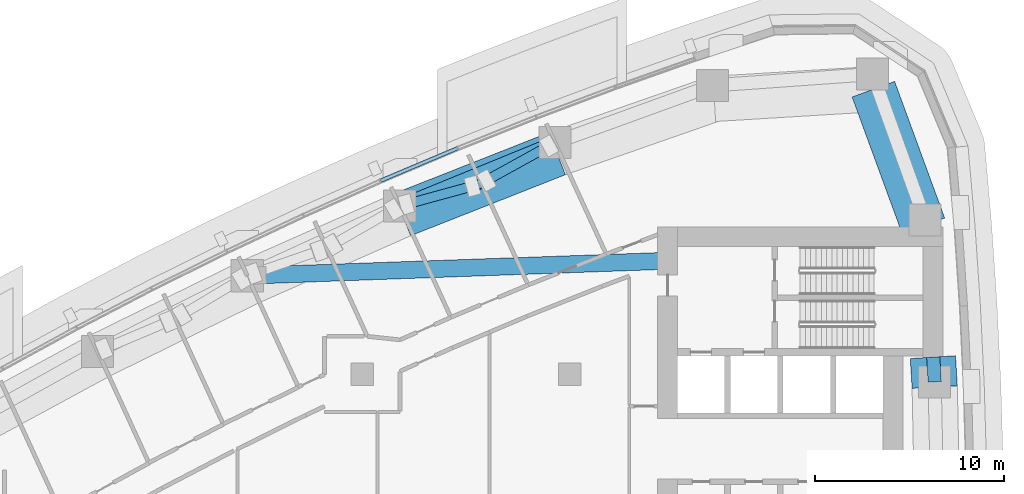
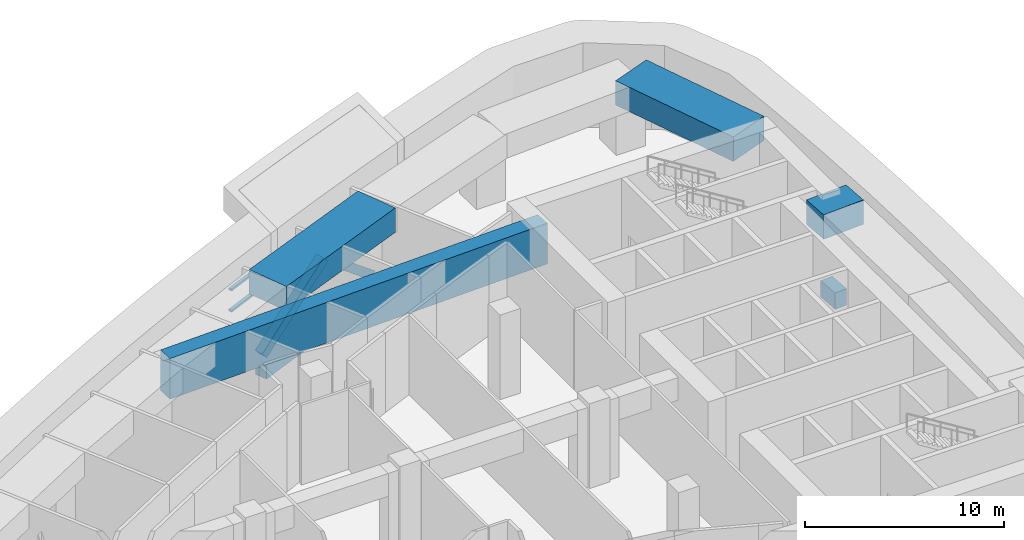
# One storey, part 7 of 19: 6 beams, 4 members, 1 element without a shape of its own.
"""IFC4 building model written with IfcOpenShell, lengths in metres."""

from ifc_helpers import new_model, si_unit, direction, frame, origin, origin_2d, place, context, subcontext, project, spatial, rectangle, hollow_rectangle, extrude, material, layer, layer_set, material_profile, profile_set, type_object, element, aggregate, save


model = new_model("IFC4")

# Units and contexts
model_context = context("Model", 3, precision=1e-05, world=origin(), true_north=direction((0.0, 1.0)))
body_context = subcontext(model_context, "Body", "Model", "MODEL_VIEW")
ifc_project = project(units=[si_unit("LENGTHUNIT", "METRE"), si_unit("AREAUNIT", "SQUARE_METRE"), si_unit("VOLUMEUNIT", "CUBIC_METRE"), si_unit("PLANEANGLEUNIT", "RADIAN"), si_unit("MASSUNIT", "GRAM", prefix="KILO")], contexts=[model_context])

# Site, building, storey
site_placement = place(None, origin())
site = spatial("IfcSite", under=ifc_project, at=site_placement, CompositionType="ELEMENT")
building_placement = place(site_placement, origin())
building = spatial("IfcBuilding", under=site, at=building_placement, Name="Ostrand Prow Hotel Tower", CompositionType="ELEMENT")
storey_placement = place(building_placement, frame((0.0, 0.0, 120.39990234375)))
storey = spatial("IfcBuildingStorey", under=building, at=storey_placement, Name="L29", CompositionType="ELEMENT", Elevation=120.39990234375)

# Members
ifc_material_1 = material(Name="Steel S355", Category="steel")
ifc_material_profile_1 = material_profile(ifc_material_1, hollow_rectangle(XDim=0.508056640625, YDim=0.508056640625, WallThickness=0.025390625, at=origin_2d()), Name="HSS508x508x25.4")
ifc_profile_set_1 = profile_set([ifc_material_profile_1], Name="Steel S355")
member_type_1 = type_object("IfcMemberType", Name="Belt brace HSS508x508x25.4", PredefinedType="BRACE", material=ifc_profile_set_1)
member_1_placement = place(storey_placement, frame((35.98828125, 17.901611328125, 0.0), z_axis=(0.733449349635, 0.200708137587, 0.649436906116), x_axis=(-0.263945359331, 0.964537633941, 0.0)))
element("IfcMember", 1, at=member_1_placement, inside=storey, type_object=member_type_1, Name="Belt brace 11", PredefinedType="BRACE", context=body_context, shape_type="SweptSolid", body=[
    extrude(hollow_rectangle(XDim=0.508056640625, YDim=0.508056640625, WallThickness=0.025390625, at=origin_2d()), origin(), (0.0, 0.0, 1.0), 5.774169921875),
])
member_2_placement = place(storey_placement, frame((44.210693359375, 21.263671875, 0.0), z_axis=(-0.675767196998, -0.373384961163, 0.635548870064), x_axis=(0.483621287261, -0.875277356332, 0.0)))
element("IfcMember", 2, at=member_2_placement, inside=storey, type_object=member_type_1, Name="Belt brace 12", PredefinedType="BRACE", context=body_context, shape_type="SweptSolid", body=[
    extrude(hollow_rectangle(XDim=0.508056640625, YDim=0.508056640625, WallThickness=0.025390625, at=origin_2d()), origin(), (0.0, 0.0, 1.0), 5.900390625),
])

# Beams
ifc_material_2 = material(Name="Concrete C80/95", Category="concrete")
ifc_material_profile_2 = material_profile(ifc_material_2, rectangle(XDim=2.39990234375, YDim=1.5, at=origin_2d()), Name="RC 2400x1500")
ifc_profile_set_2 = profile_set([ifc_material_profile_2], Name="Concrete C80/95")
beam_type_1 = type_object("IfcBeamType", Name="Belt girder 2400x1500 C80/95", PredefinedType="BEAM", material=ifc_profile_set_2)
beam_1_placement = place(storey_placement, frame((64.329345703125, 8.316650390625, 4.150146484375), z_axis=(-0.061563802627, 0.998103150083, 0.0), x_axis=(-0.998103150083, -0.061563802627, 0.0)))
element("IfcBeam", 3, at=beam_1_placement, inside=storey, type_object=beam_type_1, Name="Belt girder B4-B5", PredefinedType="BEAM", context=body_context, shape_type="SweptSolid", body=[
    extrude(rectangle(XDim=2.39990234375, YDim=1.5, at=origin_2d()), origin(), (0.0, 0.0, 1.0), 1.586181640625),
])
beam_2_placement = place(storey_placement, frame((63.732666015625, 16.85009765625, 4.150146484375), z_axis=(-0.344003568088, 0.938968340863, 0.0), x_axis=(-0.938968340863, -0.344003568088, 0.0)))
element("IfcBeam", 4, at=beam_2_placement, inside=storey, type_object=beam_type_1, Name="Belt girder B5-NE", PredefinedType="BEAM", context=body_context, shape_type="SweptSolid", body=[
    extrude(rectangle(XDim=2.39990234375, YDim=1.5, at=origin_2d()), origin(), (0.0, 0.0, 1.0), 7.714599609375),
])
beam_3_placement = place(storey_placement, frame((44.32470703125, 20.67822265625, 4.150146484375), z_axis=(-0.930247508784, -0.366932653767, 0.0), x_axis=(0.366932653767, -0.930247508784, 0.0)))
element("IfcBeam", 5, at=beam_3_placement, inside=storey, type_object=beam_type_1, Name="Belt girder N2-N3", PredefinedType="BEAM", context=body_context, shape_type="SweptSolid", body=[
    extrude(rectangle(XDim=2.39990234375, YDim=1.5, at=origin_2d()), origin(), (0.0, 0.0, 1.0), 8.81787109375),
])
ifc_material_3 = material(Name="Concrete C80/95", Category="concrete")
ifc_material_profile_3 = material_profile(ifc_material_3, rectangle(XDim=0.699951171875, YDim=1.0, at=origin_2d()), Name="RC 700x1000")
ifc_profile_set_3 = profile_set([ifc_material_profile_3], Name="Concrete C80/95")
beam_type_2 = type_object("IfcBeamType", Name="Edge beam 700x1000 C80/95", PredefinedType="SPANDREL", material=ifc_profile_set_3)
beam_4_placement = place(storey_placement, frame((64.328857421875, 8.588623046875, -0.89990234375), z_axis=(-0.059658953766, 0.998218818314, 0.0), x_axis=(-0.998218818314, -0.059658953766, 0.0)))
element("IfcBeam", 6, at=beam_4_placement, inside=storey, type_object=beam_type_2, Name="Edge beam B4-B5", PredefinedType="SPANDREL", context=body_context, shape_type="SweptSolid", body=[
    extrude(rectangle(XDim=0.699951171875, YDim=1.0, at=origin_2d()), origin(), (0.0, 0.0, 1.0), 1.313720703125),
])
beam_5_placement = place(storey_placement, frame((44.210693359375, 21.263671875, -0.89990234375), z_axis=(-0.925612172894, -0.378473387955, 0.0), x_axis=(0.378473387955, -0.925612172894, 0.0)))
element("IfcBeam", 7, at=beam_5_placement, inside=storey, type_object=beam_type_2, Name="Edge beam N2-N3", PredefinedType="SPANDREL", context=body_context, shape_type="SweptSolid", body=[
    extrude(rectangle(XDim=0.699951171875, YDim=1.0, at=origin_2d()), origin(), (0.0, 0.0, 1.0), 8.88330078125),
])
ifc_material_4 = material(Name="Concrete C80/95", Category="concrete")
ifc_material_profile_4 = material_profile(ifc_material_4, rectangle(XDim=0.89990234375, YDim=2.5, at=origin_2d()), Name="RC 900x2500")
ifc_profile_set_4 = profile_set([ifc_material_profile_4], Name="Concrete C80/95")
beam_type_3 = type_object("IfcBeamType", Name="Outrigger lintel 900x2500 C80/95", PredefinedType="LINTEL", material=ifc_profile_set_4)
beam_6_placement = place(storey_placement, frame((50.69970703125, 15.021240234375, 3.650146484375), z_axis=(-0.999370506854, -0.035476612448, 0.0), x_axis=(0.035476612448, -0.999370506854, 0.0)))
element("IfcBeam", 8, at=beam_6_placement, inside=storey, type_object=beam_type_3, Name="Outrigger lintel DN1", PredefinedType="LINTEL", context=body_context, shape_type="SweptSolid", body=[
    extrude(rectangle(XDim=0.89990234375, YDim=2.5, at=origin_2d()), origin(), (0.0, 0.0, 1.0), 22.406982421875),
])

# Curtain wall, members
ifc_material_5 = material(Name="Insulated glass in bronze anodised frame", Category="glass")
ifc_layer = layer(ifc_material_5, 0.199951171875)
ifc_layer_set = layer_set([ifc_layer], Name="Insulated glass in bronze anodised frame")
curtain_wall_type = type_object("IfcCurtainWallType", Name="Plant storey louvre wall", PredefinedType="NOTDEFINED", material=ifc_layer_set)
curtain_wall_placement = place(storey_placement, origin())
curtain_wall = element("IfcCurtainWall", 9, at=curtain_wall_placement, inside=storey, type_object=curtain_wall_type, Name="CW7 run CWN2", PredefinedType="NOTDEFINED")
ifc_material_6 = material(Name="Bronze anodised aluminium", Category="aluminium")
ifc_material_profile_5 = material_profile(ifc_material_6, rectangle(XDim=0.199951171875, YDim=0.1201171875, at=origin_2d()), Name="Transom 120x200 bronze anodised aluminium")
ifc_profile_set_5 = profile_set([ifc_material_profile_5], Name="Bronze anodised aluminium")
member_type_2 = type_object("IfcMemberType", Name="Transom 120x200 bronze anodised aluminium", PredefinedType="USERDEFINED", material=ifc_profile_set_5)
member_3_placement = place(storey_placement, frame((39.0361328125, 20.9609375, 2.2001953125), z_axis=(-0.921006250528, -0.389547797438, 0.0), x_axis=(0.389547797438, -0.921006250528, 0.0)))
member_3 = element("IfcMember", 10, at=member_3_placement, type_object=member_type_2, Name="CW7 transom 2.1", ObjectType="TRANSOM", PredefinedType="USERDEFINED", context=body_context, shape_type="SweptSolid", body=[
    extrude(rectangle(XDim=0.199951171875, YDim=0.1201171875, at=origin_2d()), origin(), (0.0, 0.0, 1.0), 4.406005859375),
])
member_4_placement = place(storey_placement, frame((39.0361328125, 20.9609375, 3.5), z_axis=(-0.921006250528, -0.389547797438, 0.0), x_axis=(0.389547797438, -0.921006250528, 0.0)))
member_4 = element("IfcMember", 11, at=member_4_placement, type_object=member_type_2, Name="CW7 transom 2.2", ObjectType="TRANSOM", PredefinedType="USERDEFINED", context=body_context, shape_type="SweptSolid", body=[
    extrude(rectangle(XDim=0.199951171875, YDim=0.1201171875, at=origin_2d()), origin(), (0.0, 0.0, 1.0), 4.406005859375),
])
aggregate(curtain_wall, [member_3, member_4])

save(model, "model.ifc")
